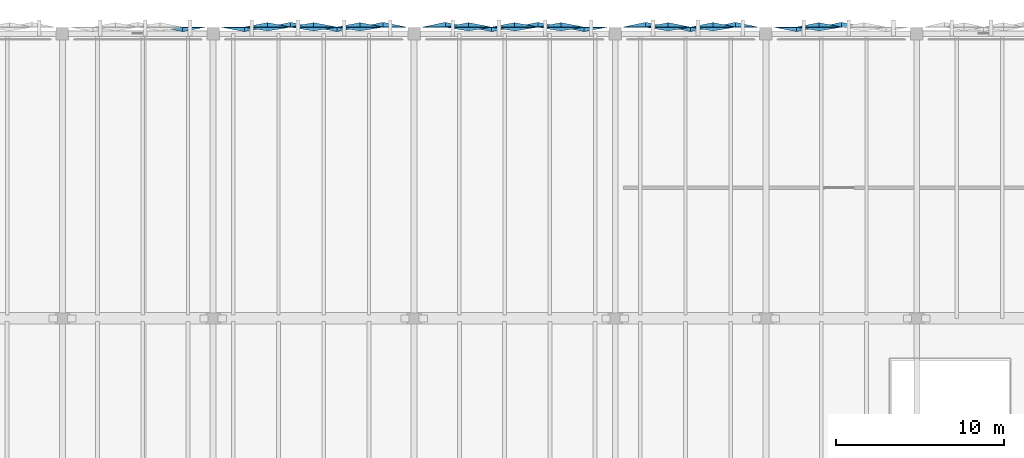
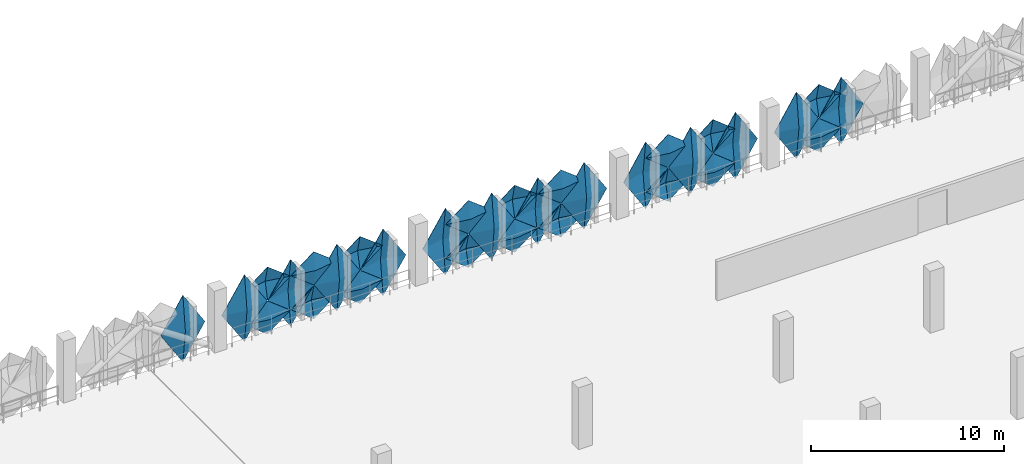
# One storey, part 64 of 76: 32 plates.
"""IFC4 building model written with IfcOpenShell, lengths in metres."""

from ifc_helpers import new_model, si_unit, derived_unit, direction, frame, origin, place, context, subcontext, project, spatial, polygons, material, layer, layer_set, type_object, element, save


model = new_model("IFC4")

# Units and contexts
model_context = context("Model", 3, precision=1e-05, world=origin(), true_north=direction((0.0, 1.0)))
body_context = subcontext(model_context, "Body", "Model", "MODEL_VIEW")
ifc_project = project(units=[si_unit("LENGTHUNIT", "METRE"), si_unit("AREAUNIT", "SQUARE_METRE"), si_unit("VOLUMEUNIT", "CUBIC_METRE"), si_unit("PLANEANGLEUNIT", "RADIAN"), si_unit("MASSUNIT", "GRAM", prefix="KILO"), si_unit("THERMODYNAMICTEMPERATUREUNIT", "KELVIN"), derived_unit("THERMALTRANSMITTANCEUNIT", [(si_unit("POWERUNIT", "WATT"), 1), (si_unit("AREAUNIT", "SQUARE_METRE"), -1), (si_unit("THERMODYNAMICTEMPERATUREUNIT", "KELVIN"), -1)])], contexts=[model_context])

# Site, building, storey
site_placement = place(None, origin())
site = spatial("IfcSite", under=ifc_project, at=site_placement, CompositionType="ELEMENT")
building_placement = place(site_placement, origin())
building = spatial("IfcBuilding", under=site, at=building_placement, Name="Haiyu Intermodal Mobility Hub", CompositionType="ELEMENT")
storey_placement = place(building_placement, frame((0.0, 0.0, 17.300048828125)))
storey = spatial("IfcBuildingStorey", under=building, at=storey_placement, Name="L04", CompositionType="ELEMENT", Elevation=17.300048828125)

# Plates
ifc_material = material(Name="Anodised aluminium 6063-T6", Category="aluminium")
ifc_layer_1 = layer(ifc_material, 0.01806640625)
ifc_layer_set_1 = layer_set([ifc_layer_1], Name="Anodised aluminium 6063-T6")
plate_type_1 = type_object("IfcPlateType", Name="PLT-FC01", PredefinedType="USERDEFINED", material=ifc_layer_set_1)
plate_1_placement = place(storey_placement, origin())
element("IfcPlate", 1, at=plate_1_placement, inside=storey, type_object=plate_type_1, Name="PLT-PYR-0311", ObjectType="FACADE CASSETTE", PredefinedType="USERDEFINED", context=body_context, shape_type="Tessellation", body=[
    polygons([(106.139892578125, 148.39990234375, -0.510009765625), (104.780029296875, 148.39990234375, 1.599853515625), (106.139892578125, 148.39990234375, 3.7099609375), (107.5, 148.39990234375, 1.599853515625), (106.139892578125, 148.679931640625, 1.599853515625), (106.139892578125, 148.3779296875, -0.510009765625), (104.780029296875, 148.3779296875, 1.599853515625), (106.139892578125, 148.3779296875, 3.7099609375), (107.5, 148.3779296875, 1.599853515625), (106.139892578125, 148.657958984375, 1.599853515625)], [[[1, 2, 5]], [[2, 3, 5]], [[3, 4, 5]], [[4, 1, 5]], [[7, 6, 10]], [[8, 7, 10]], [[9, 8, 10]], [[6, 9, 10]], [[1, 6, 7, 2]], [[2, 7, 8, 3]], [[3, 8, 9, 4]], [[4, 9, 6, 1]]], closed=True),
])
plate_2_placement = place(storey_placement, origin())
element("IfcPlate", 2, at=plate_2_placement, inside=storey, type_object=plate_type_1, Name="PLT-PYR-0315", ObjectType="FACADE CASSETTE", PredefinedType="USERDEFINED", context=body_context, shape_type="Tessellation", body=[
    polygons([(102.0, 148.39990234375, -0.52001953125), (100.639892578125, 148.39990234375, 0.530029296875), (102.0, 148.39990234375, 1.579833984375), (103.360107421875, 148.39990234375, 0.530029296875), (102.0, 148.659912109375, 0.530029296875), (102.0, 148.3779296875, -0.52001953125), (100.639892578125, 148.3779296875, 0.530029296875), (102.0, 148.3779296875, 1.579833984375), (103.360107421875, 148.3779296875, 0.530029296875), (102.0, 148.637939453125, 0.530029296875)], [[[1, 2, 5]], [[2, 3, 5]], [[3, 4, 5]], [[4, 1, 5]], [[7, 6, 10]], [[8, 7, 10]], [[9, 8, 10]], [[6, 9, 10]], [[1, 6, 7, 2]], [[2, 7, 8, 3]], [[3, 8, 9, 4]], [[4, 9, 6, 1]]], closed=True),
])
plate_3_placement = place(storey_placement, origin())
element("IfcPlate", 3, at=plate_3_placement, inside=storey, type_object=plate_type_1, Name="PLT-PYR-0362", ObjectType="FACADE CASSETTE", PredefinedType="USERDEFINED", context=body_context, shape_type="Tessellation", body=[
    polygons([(116.760009765625, 148.39990234375, -0.52001953125), (115.39990234375, 148.39990234375, 0.530029296875), (116.760009765625, 148.39990234375, 1.579833984375), (118.1201171875, 148.39990234375, 0.530029296875), (116.760009765625, 148.659912109375, 0.530029296875), (116.760009765625, 148.3779296875, -0.52001953125), (115.39990234375, 148.3779296875, 0.530029296875), (116.760009765625, 148.3779296875, 1.579833984375), (118.1201171875, 148.3779296875, 0.530029296875), (116.760009765625, 148.637939453125, 0.530029296875)], [[[1, 2, 5]], [[2, 3, 5]], [[3, 4, 5]], [[4, 1, 5]], [[7, 6, 10]], [[8, 7, 10]], [[9, 8, 10]], [[6, 9, 10]], [[1, 6, 7, 2]], [[2, 7, 8, 3]], [[3, 8, 9, 4]], [[4, 9, 6, 1]]], closed=True),
])
plate_4_placement = place(storey_placement, origin())
element("IfcPlate", 4, at=plate_4_placement, inside=storey, type_object=plate_type_1, Name="PLT-PYR-0368", ObjectType="FACADE CASSETTE", PredefinedType="USERDEFINED", context=body_context, shape_type="Tessellation", body=[
    polygons([(111.239990234375, 148.39990234375, -0.52001953125), (109.8798828125, 148.39990234375, 0.530029296875), (111.239990234375, 148.39990234375, 1.579833984375), (112.60009765625, 148.39990234375, 0.530029296875), (111.239990234375, 148.659912109375, 0.530029296875), (111.239990234375, 148.3779296875, -0.52001953125), (109.8798828125, 148.3779296875, 0.530029296875), (111.239990234375, 148.3779296875, 1.579833984375), (112.60009765625, 148.3779296875, 0.530029296875), (111.239990234375, 148.637939453125, 0.530029296875)], [[[1, 2, 5]], [[2, 3, 5]], [[3, 4, 5]], [[4, 1, 5]], [[7, 6, 10]], [[8, 7, 10]], [[9, 8, 10]], [[6, 9, 10]], [[1, 6, 7, 2]], [[2, 7, 8, 3]], [[3, 8, 9, 4]], [[4, 9, 6, 1]]], closed=True),
])
plate_5_placement = place(storey_placement, origin())
element("IfcPlate", 5, at=plate_5_placement, inside=storey, type_object=plate_type_1, Name="PLT-PYR-0402", ObjectType="FACADE CASSETTE", PredefinedType="USERDEFINED", context=body_context, shape_type="Tessellation", body=[
    polygons([(127.179931640625, 148.39990234375, -0.510009765625), (125.860107421875, 148.39990234375, 1.599853515625), (127.179931640625, 148.39990234375, 3.7099609375), (128.5, 148.39990234375, 1.599853515625), (127.179931640625, 148.679931640625, 1.599853515625), (127.179931640625, 148.3779296875, -0.510009765625), (125.860107421875, 148.3779296875, 1.599853515625), (127.179931640625, 148.3779296875, 3.7099609375), (128.5, 148.3779296875, 1.599853515625), (127.179931640625, 148.657958984375, 1.599853515625)], [[[1, 2, 5]], [[2, 3, 5]], [[3, 4, 5]], [[4, 1, 5]], [[7, 6, 10]], [[8, 7, 10]], [[9, 8, 10]], [[6, 9, 10]], [[1, 6, 7, 2]], [[2, 7, 8, 3]], [[3, 8, 9, 4]], [[4, 9, 6, 1]]], closed=True),
])
plate_6_placement = place(storey_placement, origin())
element("IfcPlate", 6, at=plate_6_placement, inside=storey, type_object=plate_type_1, Name="PLT-PYR-0406", ObjectType="FACADE CASSETTE", PredefinedType="USERDEFINED", context=body_context, shape_type="Tessellation", body=[
    polygons([(123.159912109375, 148.39990234375, -0.52001953125), (121.840087890625, 148.39990234375, 0.530029296875), (123.159912109375, 148.39990234375, 1.579833984375), (124.47998046875, 148.39990234375, 0.530029296875), (123.159912109375, 148.659912109375, 0.530029296875), (123.159912109375, 148.3779296875, -0.52001953125), (121.840087890625, 148.3779296875, 0.530029296875), (123.159912109375, 148.3779296875, 1.579833984375), (124.47998046875, 148.3779296875, 0.530029296875), (123.159912109375, 148.637939453125, 0.530029296875)], [[[1, 2, 5]], [[2, 3, 5]], [[3, 4, 5]], [[4, 1, 5]], [[7, 6, 10]], [[8, 7, 10]], [[9, 8, 10]], [[6, 9, 10]], [[1, 6, 7, 2]], [[2, 7, 8, 3]], [[3, 8, 9, 4]], [[4, 9, 6, 1]]], closed=True),
])
ifc_layer_2 = layer(ifc_material, 0.02001953125)
ifc_layer_set_2 = layer_set([ifc_layer_2], Name="Anodised aluminium 6063-T6")
plate_type_2 = type_object("IfcPlateType", Name="PLT-FC02", PredefinedType="USERDEFINED", material=ifc_layer_set_2)
plate_7_placement = place(storey_placement, origin())
element("IfcPlate", 7, at=plate_7_placement, inside=storey, type_object=plate_type_2, Name="PLT-PYR-0267", ObjectType="FACADE CASSETTE", PredefinedType="USERDEFINED", context=body_context, shape_type="Tessellation", body=[
    polygons([(94.179931640625, 148.39990234375, -0.510009765625), (92.860107421875, 148.39990234375, 1.599853515625), (94.179931640625, 148.39990234375, 3.7099609375), (95.5, 148.39990234375, 1.599853515625), (94.179931640625, 148.139892578125, 1.599853515625), (94.179931640625, 148.3779296875, -0.510009765625), (92.860107421875, 148.3779296875, 1.599853515625), (94.179931640625, 148.3779296875, 3.7099609375), (95.5, 148.3779296875, 1.599853515625), (94.179931640625, 148.117919921875, 1.599853515625)], [[[1, 2, 5]], [[2, 3, 5]], [[3, 4, 5]], [[4, 1, 5]], [[7, 6, 10]], [[8, 7, 10]], [[9, 8, 10]], [[6, 9, 10]], [[1, 6, 7, 2]], [[2, 7, 8, 3]], [[3, 8, 9, 4]], [[4, 9, 6, 1]]], closed=True),
])
plate_8_placement = place(storey_placement, origin())
element("IfcPlate", 8, at=plate_8_placement, inside=storey, type_object=plate_type_2, Name="PLT-PYR-0312", ObjectType="FACADE CASSETTE", PredefinedType="USERDEFINED", context=body_context, shape_type="Tessellation", body=[
    polygons([(104.760009765625, 148.39990234375, -0.52001953125), (103.39990234375, 148.39990234375, 0.530029296875), (104.760009765625, 148.39990234375, 1.579833984375), (106.1201171875, 148.39990234375, 0.530029296875), (104.760009765625, 148.179931640625, 0.530029296875), (104.760009765625, 148.3779296875, -0.52001953125), (103.39990234375, 148.3779296875, 0.530029296875), (104.760009765625, 148.3779296875, 1.579833984375), (106.1201171875, 148.3779296875, 0.530029296875), (104.760009765625, 148.157958984375, 0.530029296875)], [[[1, 2, 5]], [[2, 3, 5]], [[3, 4, 5]], [[4, 1, 5]], [[7, 6, 10]], [[8, 7, 10]], [[9, 8, 10]], [[6, 9, 10]], [[1, 6, 7, 2]], [[2, 7, 8, 3]], [[3, 8, 9, 4]], [[4, 9, 6, 1]]], closed=True),
])
plate_9_placement = place(storey_placement, origin())
element("IfcPlate", 9, at=plate_9_placement, inside=storey, type_object=plate_type_2, Name="PLT-PYR-0318", ObjectType="FACADE CASSETTE", PredefinedType="USERDEFINED", context=body_context, shape_type="Tessellation", body=[
    polygons([(99.239990234375, 148.39990234375, -0.52001953125), (97.8798828125, 148.39990234375, 0.530029296875), (99.239990234375, 148.39990234375, 1.579833984375), (100.60009765625, 148.39990234375, 0.530029296875), (99.239990234375, 148.179931640625, 0.530029296875), (99.239990234375, 148.3779296875, -0.52001953125), (97.8798828125, 148.3779296875, 0.530029296875), (99.239990234375, 148.3779296875, 1.579833984375), (100.60009765625, 148.3779296875, 0.530029296875), (99.239990234375, 148.157958984375, 0.530029296875)], [[[1, 2, 5]], [[2, 3, 5]], [[3, 4, 5]], [[4, 1, 5]], [[7, 6, 10]], [[8, 7, 10]], [[9, 8, 10]], [[6, 9, 10]], [[1, 6, 7, 2]], [[2, 7, 8, 3]], [[3, 8, 9, 4]], [[4, 9, 6, 1]]], closed=True),
])
plate_10_placement = place(storey_placement, origin())
element("IfcPlate", 10, at=plate_10_placement, inside=storey, type_object=plate_type_2, Name="PLT-PYR-0361", ObjectType="FACADE CASSETTE", PredefinedType="USERDEFINED", context=body_context, shape_type="Tessellation", body=[
    polygons([(118.139892578125, 148.39990234375, -0.510009765625), (116.780029296875, 148.39990234375, 1.599853515625), (118.139892578125, 148.39990234375, 3.7099609375), (119.5, 148.39990234375, 1.599853515625), (118.139892578125, 148.139892578125, 1.599853515625), (118.139892578125, 148.3779296875, -0.510009765625), (116.780029296875, 148.3779296875, 1.599853515625), (118.139892578125, 148.3779296875, 3.7099609375), (119.5, 148.3779296875, 1.599853515625), (118.139892578125, 148.117919921875, 1.599853515625)], [[[1, 2, 5]], [[2, 3, 5]], [[3, 4, 5]], [[4, 1, 5]], [[7, 6, 10]], [[8, 7, 10]], [[9, 8, 10]], [[6, 9, 10]], [[1, 6, 7, 2]], [[2, 7, 8, 3]], [[3, 8, 9, 4]], [[4, 9, 6, 1]]], closed=True),
])
plate_11_placement = place(storey_placement, origin())
element("IfcPlate", 11, at=plate_11_placement, inside=storey, type_object=plate_type_2, Name="PLT-PYR-0365", ObjectType="FACADE CASSETTE", PredefinedType="USERDEFINED", context=body_context, shape_type="Tessellation", body=[
    polygons([(114.0, 148.39990234375, -0.52001953125), (112.639892578125, 148.39990234375, 0.530029296875), (114.0, 148.39990234375, 1.579833984375), (115.360107421875, 148.39990234375, 0.530029296875), (114.0, 148.179931640625, 0.530029296875), (114.0, 148.3779296875, -0.52001953125), (112.639892578125, 148.3779296875, 0.530029296875), (114.0, 148.3779296875, 1.579833984375), (115.360107421875, 148.3779296875, 0.530029296875), (114.0, 148.157958984375, 0.530029296875)], [[[1, 2, 5]], [[2, 3, 5]], [[3, 4, 5]], [[4, 1, 5]], [[7, 6, 10]], [[8, 7, 10]], [[9, 8, 10]], [[6, 9, 10]], [[1, 6, 7, 2]], [[2, 7, 8, 3]], [[3, 8, 9, 4]], [[4, 9, 6, 1]]], closed=True),
])
plate_12_placement = place(storey_placement, origin())
element("IfcPlate", 12, at=plate_12_placement, inside=storey, type_object=plate_type_2, Name="PLT-PYR-0403", ObjectType="FACADE CASSETTE", PredefinedType="USERDEFINED", context=body_context, shape_type="Tessellation", body=[
    polygons([(125.840087890625, 148.39990234375, -0.52001953125), (124.52001953125, 148.39990234375, 0.530029296875), (125.840087890625, 148.39990234375, 1.579833984375), (127.159912109375, 148.39990234375, 0.530029296875), (125.840087890625, 148.179931640625, 0.530029296875), (125.840087890625, 148.3779296875, -0.52001953125), (124.52001953125, 148.3779296875, 0.530029296875), (125.840087890625, 148.3779296875, 1.579833984375), (127.159912109375, 148.3779296875, 0.530029296875), (125.840087890625, 148.157958984375, 0.530029296875)], [[[1, 2, 5]], [[2, 3, 5]], [[3, 4, 5]], [[4, 1, 5]], [[7, 6, 10]], [[8, 7, 10]], [[9, 8, 10]], [[6, 9, 10]], [[1, 6, 7, 2]], [[2, 7, 8, 3]], [[3, 8, 9, 4]], [[4, 9, 6, 1]]], closed=True),
])
plate_13_placement = place(storey_placement, origin())
element("IfcPlate", 13, at=plate_13_placement, inside=storey, type_object=plate_type_2, Name="PLT-PYR-0441", ObjectType="FACADE CASSETTE", PredefinedType="USERDEFINED", context=body_context, shape_type="Tessellation", body=[
    polygons([(132.159912109375, 148.39990234375, -0.52001953125), (130.840087890625, 148.39990234375, 0.530029296875), (132.159912109375, 148.39990234375, 1.579833984375), (133.47998046875, 148.39990234375, 0.530029296875), (132.159912109375, 148.179931640625, 0.530029296875), (132.159912109375, 148.3779296875, -0.52001953125), (130.840087890625, 148.3779296875, 0.530029296875), (132.159912109375, 148.3779296875, 1.579833984375), (133.47998046875, 148.3779296875, 0.530029296875), (132.159912109375, 148.157958984375, 0.530029296875)], [[[1, 2, 5]], [[2, 3, 5]], [[3, 4, 5]], [[4, 1, 5]], [[7, 6, 10]], [[8, 7, 10]], [[9, 8, 10]], [[6, 9, 10]], [[1, 6, 7, 2]], [[2, 7, 8, 3]], [[3, 8, 9, 4]], [[4, 9, 6, 1]]], closed=True),
])
ifc_layer_3 = layer(ifc_material, 0.01806640625)
ifc_layer_set_3 = layer_set([ifc_layer_3], Name="Anodised aluminium 6063-T6")
plate_type_3 = type_object("IfcPlateType", Name="PLT-FC03", PredefinedType="USERDEFINED", material=ifc_layer_set_3)
plate_14_placement = place(storey_placement, origin())
element("IfcPlate", 14, at=plate_14_placement, inside=storey, type_object=plate_type_3, Name="PLT-PYR-0313", ObjectType="FACADE CASSETTE", PredefinedType="USERDEFINED", context=body_context, shape_type="Tessellation", body=[
    polygons([(104.760009765625, 148.39990234375, 1.619873046875), (103.39990234375, 148.39990234375, 2.669921875), (104.760009765625, 148.39990234375, 3.719970703125), (106.1201171875, 148.39990234375, 2.669921875), (104.760009765625, 148.659912109375, 2.669921875), (104.760009765625, 148.3779296875, 1.619873046875), (103.39990234375, 148.3779296875, 2.669921875), (104.760009765625, 148.3779296875, 3.719970703125), (106.1201171875, 148.3779296875, 2.669921875), (104.760009765625, 148.637939453125, 2.669921875)], [[[1, 2, 5]], [[2, 3, 5]], [[3, 4, 5]], [[4, 1, 5]], [[7, 6, 10]], [[8, 7, 10]], [[9, 8, 10]], [[6, 9, 10]], [[1, 6, 7, 2]], [[2, 7, 8, 3]], [[3, 8, 9, 4]], [[4, 9, 6, 1]]], closed=True),
])
plate_15_placement = place(storey_placement, origin())
element("IfcPlate", 15, at=plate_15_placement, inside=storey, type_object=plate_type_3, Name="PLT-PYR-0319", ObjectType="FACADE CASSETTE", PredefinedType="USERDEFINED", context=body_context, shape_type="Tessellation", body=[
    polygons([(99.239990234375, 148.39990234375, 1.619873046875), (97.8798828125, 148.39990234375, 2.669921875), (99.239990234375, 148.39990234375, 3.719970703125), (100.60009765625, 148.39990234375, 2.669921875), (99.239990234375, 148.659912109375, 2.669921875), (99.239990234375, 148.3779296875, 1.619873046875), (97.8798828125, 148.3779296875, 2.669921875), (99.239990234375, 148.3779296875, 3.719970703125), (100.60009765625, 148.3779296875, 2.669921875), (99.239990234375, 148.637939453125, 2.669921875)], [[[1, 2, 5]], [[2, 3, 5]], [[3, 4, 5]], [[4, 1, 5]], [[7, 6, 10]], [[8, 7, 10]], [[9, 8, 10]], [[6, 9, 10]], [[1, 6, 7, 2]], [[2, 7, 8, 3]], [[3, 8, 9, 4]], [[4, 9, 6, 1]]], closed=True),
])
plate_16_placement = place(storey_placement, origin())
element("IfcPlate", 16, at=plate_16_placement, inside=storey, type_object=plate_type_3, Name="PLT-PYR-0364", ObjectType="FACADE CASSETTE", PredefinedType="USERDEFINED", context=body_context, shape_type="Tessellation", body=[
    polygons([(115.3798828125, 148.39990234375, -0.510009765625), (114.02001953125, 148.39990234375, 1.599853515625), (115.3798828125, 148.39990234375, 3.7099609375), (116.739990234375, 148.39990234375, 1.599853515625), (115.3798828125, 148.679931640625, 1.599853515625), (115.3798828125, 148.3779296875, -0.510009765625), (114.02001953125, 148.3779296875, 1.599853515625), (115.3798828125, 148.3779296875, 3.7099609375), (116.739990234375, 148.3779296875, 1.599853515625), (115.3798828125, 148.657958984375, 1.599853515625)], [[[1, 2, 5]], [[2, 3, 5]], [[3, 4, 5]], [[4, 1, 5]], [[7, 6, 10]], [[8, 7, 10]], [[9, 8, 10]], [[6, 9, 10]], [[1, 6, 7, 2]], [[2, 7, 8, 3]], [[3, 8, 9, 4]], [[4, 9, 6, 1]]], closed=True),
])
plate_17_placement = place(storey_placement, origin())
element("IfcPlate", 17, at=plate_17_placement, inside=storey, type_object=plate_type_3, Name="PLT-PYR-0366", ObjectType="FACADE CASSETTE", PredefinedType="USERDEFINED", context=body_context, shape_type="Tessellation", body=[
    polygons([(114.0, 148.39990234375, 1.619873046875), (112.639892578125, 148.39990234375, 2.669921875), (114.0, 148.39990234375, 3.719970703125), (115.360107421875, 148.39990234375, 2.669921875), (114.0, 148.659912109375, 2.669921875), (114.0, 148.3779296875, 1.619873046875), (112.639892578125, 148.3779296875, 2.669921875), (114.0, 148.3779296875, 3.719970703125), (115.360107421875, 148.3779296875, 2.669921875), (114.0, 148.637939453125, 2.669921875)], [[[1, 2, 5]], [[2, 3, 5]], [[3, 4, 5]], [[4, 1, 5]], [[7, 6, 10]], [[8, 7, 10]], [[9, 8, 10]], [[6, 9, 10]], [[1, 6, 7, 2]], [[2, 7, 8, 3]], [[3, 8, 9, 4]], [[4, 9, 6, 1]]], closed=True),
])
plate_18_placement = place(storey_placement, origin())
element("IfcPlate", 18, at=plate_18_placement, inside=storey, type_object=plate_type_3, Name="PLT-PYR-0404", ObjectType="FACADE CASSETTE", PredefinedType="USERDEFINED", context=body_context, shape_type="Tessellation", body=[
    polygons([(125.840087890625, 148.39990234375, 1.619873046875), (124.52001953125, 148.39990234375, 2.669921875), (125.840087890625, 148.39990234375, 3.719970703125), (127.159912109375, 148.39990234375, 2.669921875), (125.840087890625, 148.659912109375, 2.669921875), (125.840087890625, 148.3779296875, 1.619873046875), (124.52001953125, 148.3779296875, 2.669921875), (125.840087890625, 148.3779296875, 3.719970703125), (127.159912109375, 148.3779296875, 2.669921875), (125.840087890625, 148.637939453125, 2.669921875)], [[[1, 2, 5]], [[2, 3, 5]], [[3, 4, 5]], [[4, 1, 5]], [[7, 6, 10]], [[8, 7, 10]], [[9, 8, 10]], [[6, 9, 10]], [[1, 6, 7, 2]], [[2, 7, 8, 3]], [[3, 8, 9, 4]], [[4, 9, 6, 1]]], closed=True),
])
plate_19_placement = place(storey_placement, origin())
element("IfcPlate", 19, at=plate_19_placement, inside=storey, type_object=plate_type_3, Name="PLT-PYR-0440", ObjectType="FACADE CASSETTE", PredefinedType="USERDEFINED", context=body_context, shape_type="Tessellation", body=[
    polygons([(133.5, 148.39990234375, -0.510009765625), (132.179931640625, 148.39990234375, 1.599853515625), (133.5, 148.39990234375, 3.7099609375), (134.820068359375, 148.39990234375, 1.599853515625), (133.5, 148.679931640625, 1.599853515625), (133.5, 148.3779296875, -0.510009765625), (132.179931640625, 148.3779296875, 1.599853515625), (133.5, 148.3779296875, 3.7099609375), (134.820068359375, 148.3779296875, 1.599853515625), (133.5, 148.657958984375, 1.599853515625)], [[[1, 2, 5]], [[2, 3, 5]], [[3, 4, 5]], [[4, 1, 5]], [[7, 6, 10]], [[8, 7, 10]], [[9, 8, 10]], [[6, 9, 10]], [[1, 6, 7, 2]], [[2, 7, 8, 3]], [[3, 8, 9, 4]], [[4, 9, 6, 1]]], closed=True),
])
plate_20_placement = place(storey_placement, origin())
element("IfcPlate", 20, at=plate_20_placement, inside=storey, type_object=plate_type_3, Name="PLT-PYR-0442", ObjectType="FACADE CASSETTE", PredefinedType="USERDEFINED", context=body_context, shape_type="Tessellation", body=[
    polygons([(132.159912109375, 148.39990234375, 1.619873046875), (130.840087890625, 148.39990234375, 2.669921875), (132.159912109375, 148.39990234375, 3.719970703125), (133.47998046875, 148.39990234375, 2.669921875), (132.159912109375, 148.659912109375, 2.669921875), (132.159912109375, 148.3779296875, 1.619873046875), (130.840087890625, 148.3779296875, 2.669921875), (132.159912109375, 148.3779296875, 3.719970703125), (133.47998046875, 148.3779296875, 2.669921875), (132.159912109375, 148.637939453125, 2.669921875)], [[[1, 2, 5]], [[2, 3, 5]], [[3, 4, 5]], [[4, 1, 5]], [[7, 6, 10]], [[8, 7, 10]], [[9, 8, 10]], [[6, 9, 10]], [[1, 6, 7, 2]], [[2, 7, 8, 3]], [[3, 8, 9, 4]], [[4, 9, 6, 1]]], closed=True),
])
ifc_layer_4 = layer(ifc_material, 0.02001953125)
ifc_layer_set_4 = layer_set([ifc_layer_4], Name="Anodised aluminium 6063-T6")
plate_type_4 = type_object("IfcPlateType", Name="PLT-FC04", PredefinedType="USERDEFINED", material=ifc_layer_set_4)
plate_21_placement = place(storey_placement, origin())
element("IfcPlate", 21, at=plate_21_placement, inside=storey, type_object=plate_type_4, Name="PLT-PYR-0314", ObjectType="FACADE CASSETTE", PredefinedType="USERDEFINED", context=body_context, shape_type="Tessellation", body=[
    polygons([(103.3798828125, 148.39990234375, -0.510009765625), (102.02001953125, 148.39990234375, 1.599853515625), (103.3798828125, 148.39990234375, 3.7099609375), (104.739990234375, 148.39990234375, 1.599853515625), (103.3798828125, 148.139892578125, 1.599853515625), (103.3798828125, 148.3779296875, -0.510009765625), (102.02001953125, 148.3779296875, 1.599853515625), (103.3798828125, 148.3779296875, 3.7099609375), (104.739990234375, 148.3779296875, 1.599853515625), (103.3798828125, 148.117919921875, 1.599853515625)], [[[1, 2, 5]], [[2, 3, 5]], [[3, 4, 5]], [[4, 1, 5]], [[7, 6, 10]], [[8, 7, 10]], [[9, 8, 10]], [[6, 9, 10]], [[1, 6, 7, 2]], [[2, 7, 8, 3]], [[3, 8, 9, 4]], [[4, 9, 6, 1]]], closed=True),
])
plate_22_placement = place(storey_placement, origin())
element("IfcPlate", 22, at=plate_22_placement, inside=storey, type_object=plate_type_4, Name="PLT-PYR-0316", ObjectType="FACADE CASSETTE", PredefinedType="USERDEFINED", context=body_context, shape_type="Tessellation", body=[
    polygons([(102.0, 148.39990234375, 1.619873046875), (100.639892578125, 148.39990234375, 2.669921875), (102.0, 148.39990234375, 3.719970703125), (103.360107421875, 148.39990234375, 2.669921875), (102.0, 148.179931640625, 2.669921875), (102.0, 148.3779296875, 1.619873046875), (100.639892578125, 148.3779296875, 2.669921875), (102.0, 148.3779296875, 3.719970703125), (103.360107421875, 148.3779296875, 2.669921875), (102.0, 148.157958984375, 2.669921875)], [[[1, 2, 5]], [[2, 3, 5]], [[3, 4, 5]], [[4, 1, 5]], [[7, 6, 10]], [[8, 7, 10]], [[9, 8, 10]], [[6, 9, 10]], [[1, 6, 7, 2]], [[2, 7, 8, 3]], [[3, 8, 9, 4]], [[4, 9, 6, 1]]], closed=True),
])
plate_23_placement = place(storey_placement, origin())
element("IfcPlate", 23, at=plate_23_placement, inside=storey, type_object=plate_type_4, Name="PLT-PYR-0363", ObjectType="FACADE CASSETTE", PredefinedType="USERDEFINED", context=body_context, shape_type="Tessellation", body=[
    polygons([(116.760009765625, 148.39990234375, 1.619873046875), (115.39990234375, 148.39990234375, 2.669921875), (116.760009765625, 148.39990234375, 3.719970703125), (118.1201171875, 148.39990234375, 2.669921875), (116.760009765625, 148.179931640625, 2.669921875), (116.760009765625, 148.3779296875, 1.619873046875), (115.39990234375, 148.3779296875, 2.669921875), (116.760009765625, 148.3779296875, 3.719970703125), (118.1201171875, 148.3779296875, 2.669921875), (116.760009765625, 148.157958984375, 2.669921875)], [[[1, 2, 5]], [[2, 3, 5]], [[3, 4, 5]], [[4, 1, 5]], [[7, 6, 10]], [[8, 7, 10]], [[9, 8, 10]], [[6, 9, 10]], [[1, 6, 7, 2]], [[2, 7, 8, 3]], [[3, 8, 9, 4]], [[4, 9, 6, 1]]], closed=True),
])
plate_24_placement = place(storey_placement, origin())
element("IfcPlate", 24, at=plate_24_placement, inside=storey, type_object=plate_type_4, Name="PLT-PYR-0369", ObjectType="FACADE CASSETTE", PredefinedType="USERDEFINED", context=body_context, shape_type="Tessellation", body=[
    polygons([(111.239990234375, 148.39990234375, 1.619873046875), (109.8798828125, 148.39990234375, 2.669921875), (111.239990234375, 148.39990234375, 3.719970703125), (112.60009765625, 148.39990234375, 2.669921875), (111.239990234375, 148.179931640625, 2.669921875), (111.239990234375, 148.3779296875, 1.619873046875), (109.8798828125, 148.3779296875, 2.669921875), (111.239990234375, 148.3779296875, 3.719970703125), (112.60009765625, 148.3779296875, 2.669921875), (111.239990234375, 148.157958984375, 2.669921875)], [[[1, 2, 5]], [[2, 3, 5]], [[3, 4, 5]], [[4, 1, 5]], [[7, 6, 10]], [[8, 7, 10]], [[9, 8, 10]], [[6, 9, 10]], [[1, 6, 7, 2]], [[2, 7, 8, 3]], [[3, 8, 9, 4]], [[4, 9, 6, 1]]], closed=True),
])
plate_25_placement = place(storey_placement, origin())
element("IfcPlate", 25, at=plate_25_placement, inside=storey, type_object=plate_type_4, Name="PLT-PYR-0405", ObjectType="FACADE CASSETTE", PredefinedType="USERDEFINED", context=body_context, shape_type="Tessellation", body=[
    polygons([(124.5, 148.39990234375, -0.510009765625), (123.179931640625, 148.39990234375, 1.599853515625), (124.5, 148.39990234375, 3.7099609375), (125.820068359375, 148.39990234375, 1.599853515625), (124.5, 148.139892578125, 1.599853515625), (124.5, 148.3779296875, -0.510009765625), (123.179931640625, 148.3779296875, 1.599853515625), (124.5, 148.3779296875, 3.7099609375), (125.820068359375, 148.3779296875, 1.599853515625), (124.5, 148.117919921875, 1.599853515625)], [[[1, 2, 5]], [[2, 3, 5]], [[3, 4, 5]], [[4, 1, 5]], [[7, 6, 10]], [[8, 7, 10]], [[9, 8, 10]], [[6, 9, 10]], [[1, 6, 7, 2]], [[2, 7, 8, 3]], [[3, 8, 9, 4]], [[4, 9, 6, 1]]], closed=True),
])
plate_26_placement = place(storey_placement, origin())
element("IfcPlate", 26, at=plate_26_placement, inside=storey, type_object=plate_type_4, Name="PLT-PYR-0407", ObjectType="FACADE CASSETTE", PredefinedType="USERDEFINED", context=body_context, shape_type="Tessellation", body=[
    polygons([(123.159912109375, 148.39990234375, 1.619873046875), (121.840087890625, 148.39990234375, 2.669921875), (123.159912109375, 148.39990234375, 3.719970703125), (124.47998046875, 148.39990234375, 2.669921875), (123.159912109375, 148.179931640625, 2.669921875), (123.159912109375, 148.3779296875, 1.619873046875), (121.840087890625, 148.3779296875, 2.669921875), (123.159912109375, 148.3779296875, 3.719970703125), (124.47998046875, 148.3779296875, 2.669921875), (123.159912109375, 148.157958984375, 2.669921875)], [[[1, 2, 5]], [[2, 3, 5]], [[3, 4, 5]], [[4, 1, 5]], [[7, 6, 10]], [[8, 7, 10]], [[9, 8, 10]], [[6, 9, 10]], [[1, 6, 7, 2]], [[2, 7, 8, 3]], [[3, 8, 9, 4]], [[4, 9, 6, 1]]], closed=True),
])
ifc_layer_5 = layer(ifc_material, 0.01806640625)
ifc_layer_set_5 = layer_set([ifc_layer_5], Name="Anodised aluminium 6063-T6")
plate_type_5 = type_object("IfcPlateType", Name="PLT-FC05", PredefinedType="USERDEFINED", material=ifc_layer_set_5)
plate_27_placement = place(storey_placement, origin())
element("IfcPlate", 27, at=plate_27_placement, inside=storey, type_object=plate_type_5, Name="PLT-PYR-0317", ObjectType="FACADE CASSETTE", PredefinedType="USERDEFINED", context=body_context, shape_type="Tessellation", body=[
    polygons([(100.6201171875, 148.39990234375, -0.510009765625), (99.260009765625, 148.39990234375, 1.599853515625), (100.6201171875, 148.39990234375, 3.7099609375), (101.97998046875, 148.39990234375, 1.599853515625), (100.6201171875, 148.679931640625, 1.599853515625), (100.6201171875, 148.3779296875, -0.510009765625), (99.260009765625, 148.3779296875, 1.599853515625), (100.6201171875, 148.3779296875, 3.7099609375), (101.97998046875, 148.3779296875, 1.599853515625), (100.6201171875, 148.657958984375, 1.599853515625)], [[[1, 2, 5]], [[2, 3, 5]], [[3, 4, 5]], [[4, 1, 5]], [[7, 6, 10]], [[8, 7, 10]], [[9, 8, 10]], [[6, 9, 10]], [[1, 6, 7, 2]], [[2, 7, 8, 3]], [[3, 8, 9, 4]], [[4, 9, 6, 1]]], closed=True),
])
plate_28_placement = place(storey_placement, origin())
element("IfcPlate", 28, at=plate_28_placement, inside=storey, type_object=plate_type_5, Name="PLT-PYR-0408", ObjectType="FACADE CASSETTE", PredefinedType="USERDEFINED", context=body_context, shape_type="Tessellation", body=[
    polygons([(121.820068359375, 148.39990234375, -0.510009765625), (120.5, 148.39990234375, 1.599853515625), (121.820068359375, 148.39990234375, 3.7099609375), (123.139892578125, 148.39990234375, 1.599853515625), (121.820068359375, 148.679931640625, 1.599853515625), (121.820068359375, 148.3779296875, -0.510009765625), (120.5, 148.3779296875, 1.599853515625), (121.820068359375, 148.3779296875, 3.7099609375), (123.139892578125, 148.3779296875, 1.599853515625), (121.820068359375, 148.657958984375, 1.599853515625)], [[[1, 2, 5]], [[2, 3, 5]], [[3, 4, 5]], [[4, 1, 5]], [[7, 6, 10]], [[8, 7, 10]], [[9, 8, 10]], [[6, 9, 10]], [[1, 6, 7, 2]], [[2, 7, 8, 3]], [[3, 8, 9, 4]], [[4, 9, 6, 1]]], closed=True),
])
ifc_layer_6 = layer(ifc_material, 0.02001953125)
ifc_layer_set_6 = layer_set([ifc_layer_6], Name="Anodised aluminium 6063-T6")
plate_type_6 = type_object("IfcPlateType", Name="PLT-FC06", PredefinedType="USERDEFINED", material=ifc_layer_set_6)
plate_29_placement = place(storey_placement, origin())
element("IfcPlate", 29, at=plate_29_placement, inside=storey, type_object=plate_type_6, Name="PLT-PYR-0367", ObjectType="FACADE CASSETTE", PredefinedType="USERDEFINED", context=body_context, shape_type="Tessellation", body=[
    polygons([(112.6201171875, 148.39990234375, -0.510009765625), (111.260009765625, 148.39990234375, 1.599853515625), (112.6201171875, 148.39990234375, 3.7099609375), (113.97998046875, 148.39990234375, 1.599853515625), (112.6201171875, 148.139892578125, 1.599853515625), (112.6201171875, 148.3779296875, -0.510009765625), (111.260009765625, 148.3779296875, 1.599853515625), (112.6201171875, 148.3779296875, 3.7099609375), (113.97998046875, 148.3779296875, 1.599853515625), (112.6201171875, 148.117919921875, 1.599853515625)], [[[1, 2, 5]], [[2, 3, 5]], [[3, 4, 5]], [[4, 1, 5]], [[7, 6, 10]], [[8, 7, 10]], [[9, 8, 10]], [[6, 9, 10]], [[1, 6, 7, 2]], [[2, 7, 8, 3]], [[3, 8, 9, 4]], [[4, 9, 6, 1]]], closed=True),
])
plate_30_placement = place(storey_placement, origin())
element("IfcPlate", 30, at=plate_30_placement, inside=storey, type_object=plate_type_6, Name="PLT-PYR-0443", ObjectType="FACADE CASSETTE", PredefinedType="USERDEFINED", context=body_context, shape_type="Tessellation", body=[
    polygons([(130.820068359375, 148.39990234375, -0.510009765625), (129.5, 148.39990234375, 1.599853515625), (130.820068359375, 148.39990234375, 3.7099609375), (132.139892578125, 148.39990234375, 1.599853515625), (130.820068359375, 148.139892578125, 1.599853515625), (130.820068359375, 148.3779296875, -0.510009765625), (129.5, 148.3779296875, 1.599853515625), (130.820068359375, 148.3779296875, 3.7099609375), (132.139892578125, 148.3779296875, 1.599853515625), (130.820068359375, 148.117919921875, 1.599853515625)], [[[1, 2, 5]], [[2, 3, 5]], [[3, 4, 5]], [[4, 1, 5]], [[7, 6, 10]], [[8, 7, 10]], [[9, 8, 10]], [[6, 9, 10]], [[1, 6, 7, 2]], [[2, 7, 8, 3]], [[3, 8, 9, 4]], [[4, 9, 6, 1]]], closed=True),
])
ifc_layer_7 = layer(ifc_material, 0.02197265625)
ifc_layer_set_7 = layer_set([ifc_layer_7], Name="Anodised aluminium 6063-T6")
plate_type_7 = type_object("IfcPlateType", Name="PLT-FC07", PredefinedType="USERDEFINED", material=ifc_layer_set_7)
plate_31_placement = place(storey_placement, origin())
element("IfcPlate", 31, at=plate_31_placement, inside=storey, type_object=plate_type_7, Name="PLT-PYR-0370", ObjectType="FACADE CASSETTE", PredefinedType="USERDEFINED", context=body_context, shape_type="Tessellation", body=[
    polygons([(109.860107421875, 148.39990234375, -0.510009765625), (108.5, 148.39990234375, 1.599853515625), (109.860107421875, 148.39990234375, 3.7099609375), (111.219970703125, 148.39990234375, 1.599853515625), (109.860107421875, 148.679931640625, 1.599853515625), (109.860107421875, 148.3779296875, -0.510009765625), (108.5, 148.3779296875, 1.599853515625), (109.860107421875, 148.3779296875, 3.7099609375), (111.219970703125, 148.3779296875, 1.599853515625), (109.860107421875, 148.657958984375, 1.599853515625)], [[[1, 2, 5]], [[2, 3, 5]], [[3, 4, 5]], [[4, 1, 5]], [[7, 6, 10]], [[8, 7, 10]], [[9, 8, 10]], [[6, 9, 10]], [[1, 6, 7, 2]], [[2, 7, 8, 3]], [[3, 8, 9, 4]], [[4, 9, 6, 1]]], closed=True),
])
ifc_layer_8 = layer(ifc_material, 0.02392578125)
ifc_layer_set_8 = layer_set([ifc_layer_8], Name="Anodised aluminium 6063-T6")
plate_type_8 = type_object("IfcPlateType", Name="PLT-FC08", PredefinedType="USERDEFINED", material=ifc_layer_set_8)
plate_32_placement = place(storey_placement, origin())
element("IfcPlate", 32, at=plate_32_placement, inside=storey, type_object=plate_type_8, Name="PLT-PYR-0320", ObjectType="FACADE CASSETTE", PredefinedType="USERDEFINED", context=body_context, shape_type="Tessellation", body=[
    polygons([(97.860107421875, 148.39990234375, -0.510009765625), (96.5, 148.39990234375, 1.599853515625), (97.860107421875, 148.39990234375, 3.7099609375), (99.219970703125, 148.39990234375, 1.599853515625), (97.860107421875, 148.139892578125, 1.599853515625), (97.860107421875, 148.3779296875, -0.510009765625), (96.5, 148.3779296875, 1.599853515625), (97.860107421875, 148.3779296875, 3.7099609375), (99.219970703125, 148.3779296875, 1.599853515625), (97.860107421875, 148.117919921875, 1.599853515625)], [[[1, 2, 5]], [[2, 3, 5]], [[3, 4, 5]], [[4, 1, 5]], [[7, 6, 10]], [[8, 7, 10]], [[9, 8, 10]], [[6, 9, 10]], [[1, 6, 7, 2]], [[2, 7, 8, 3]], [[3, 8, 9, 4]], [[4, 9, 6, 1]]], closed=True),
])

save(model, "model.ifc")
